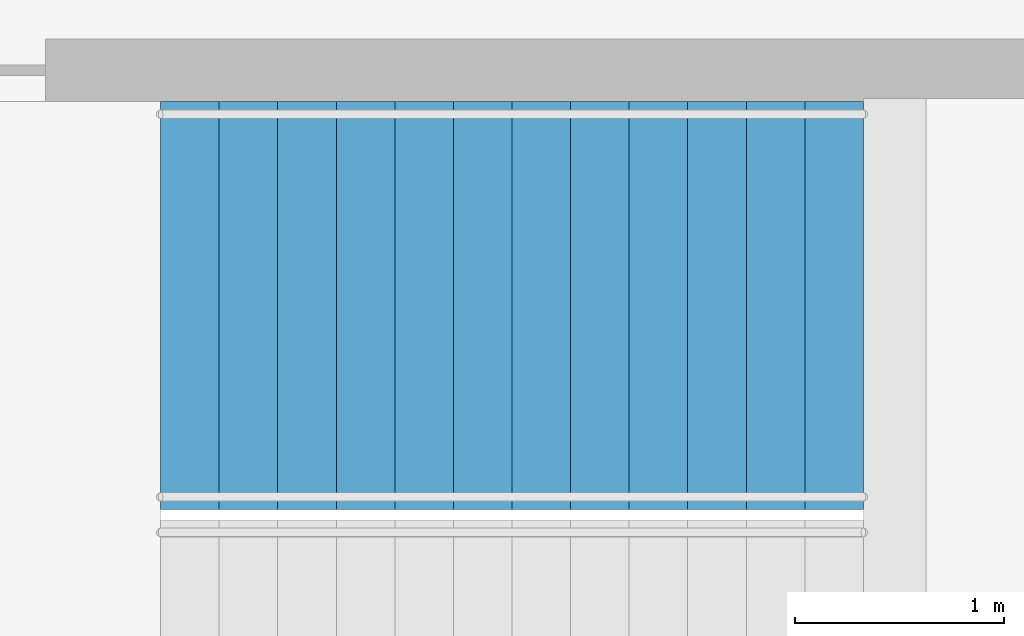
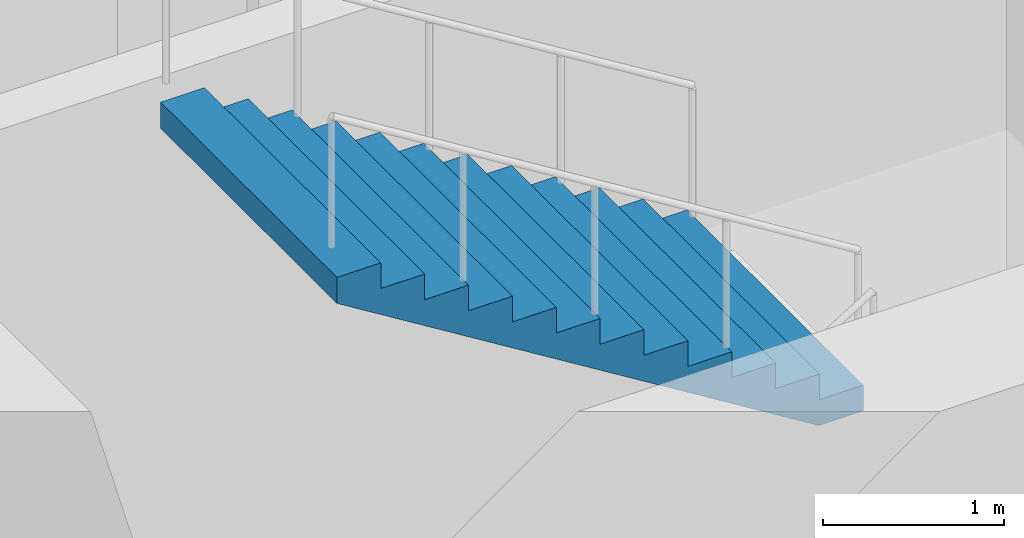
# One storey, part 9 of 16: 1 stair flight, 1 element without a shape of its own.
"""IFC4 building model written with IfcOpenShell, lengths in metres."""

from ifc_helpers import new_model, si_unit, direction, frame, origin, place, context, subcontext, project, spatial, triangles, material, type_object, element, aggregate, save


model = new_model("IFC4")

# Units and contexts
model_context = context("Model", 3, precision=1e-05, world=origin(), true_north=direction((0.0, 1.0)))
body_context = subcontext(model_context, "Body", "Model", "MODEL_VIEW")
ifc_project = project(units=[si_unit("LENGTHUNIT", "METRE"), si_unit("AREAUNIT", "SQUARE_METRE"), si_unit("VOLUMEUNIT", "CUBIC_METRE"), si_unit("PLANEANGLEUNIT", "RADIAN"), si_unit("MASSUNIT", "GRAM", prefix="KILO")], contexts=[model_context])

# Site, building, storey
site_placement = place(None, origin())
site = spatial("IfcSite", under=ifc_project, at=site_placement, CompositionType="ELEMENT")
building_placement = place(site_placement, origin())
building = spatial("IfcBuilding", under=site, at=building_placement, Name="Orbita Commons", CompositionType="ELEMENT")
storey_placement = place(building_placement, frame((0.0, 0.0, -4.5)))
storey = spatial("IfcBuildingStorey", under=building, at=storey_placement, Name="L-01", CompositionType="ELEMENT", Elevation=-4.5)

# Stair, stair flight
ifc_material_1 = material(Name="Precast concrete C40/50", Category="concrete")
stair_type = type_object("IfcStairType", Name="Exit stair S1 2 flights 13 risers 173", PredefinedType="HALF_TURN_STAIR", material=ifc_material_1)
stair_placement = place(storey_placement, origin())
stair = element("IfcStair", 1, at=stair_placement, inside=storey, type_object=stair_type, Name="Exit stair S1 L-01", PredefinedType="HALF_TURN_STAIR")
ifc_material_2 = material(Name="Precast concrete C40/50", Category="concrete")
stair_flight_type = type_object("IfcStairFlightType", Name="Stair flight 13 risers 173 x 280", PredefinedType="STRAIGHT", material=ifc_material_2)
stair_flight_placement = place(storey_placement, frame((23.81005859375, 29.27490234375, 2.25), z_axis=(0.0, 0.0, 1.0), x_axis=(-1.0, 0.0, 0.0)))
stair_flight = element("IfcStairFlight", 2, at=stair_flight_placement, type_object=stair_flight_type, Name="S1 flight 2", NumberOfRisers=13, NumberOfTreads=12, PredefinedType="STRAIGHT", RiserHeight=0.173076923, TreadLength=0.28, context=body_context, shape_type="Tessellation", body=[
    triangles([(0.0, 0.974976, 0.0), (0.0, 0.974976, 0.021635), (0.0, 0.81248, 0.021635), (0.0, 0.81248, 0.0), (0.0, 0.649984, 0.021635), (0.0, 0.649984, 0.0), (0.0, 0.487488, 0.021635), (0.0, 0.487488, 0.0), (0.0, 0.324992, 0.021635), (0.0, 0.324992, 0.0), (0.0, 0.162496, 0.021635), (0.0, 0.162496, 0.0), (0.0, 0.0, 0.021635), (0.0, 0.0, 0.0), (0.0, -0.162496, 0.021635), (0.0, -0.162496, 0.0), (0.0, -0.324992, 0.021635), (0.0, -0.324992, 0.0), (0.0, -0.487488, 0.021635), (0.0, -0.487488, 0.0), (0.0, -0.649984, 0.021635), (0.0, -0.649984, 0.0), (0.0, -0.81248, 0.021635), (0.0, -0.81248, 0.0), (0.0, -0.974976, 0.021635), (0.0, -0.974976, 0.0), (0.0, 0.974976, 0.043269), (0.0, 0.81248, 0.043269), (0.0, 0.649984, 0.043269), (0.0, 0.487488, 0.043269), (0.0, 0.324992, 0.043269), (0.0, 0.162496, 0.043269), (0.0, 0.0, 0.043269), (0.0, -0.162496, 0.043269), (0.0, -0.324992, 0.043269), (0.0, -0.487488, 0.043269), (0.0, -0.649984, 0.043269), (0.0, -0.81248, 0.043269), (0.0, -0.974976, 0.043269), (0.0, 0.974976, 0.064904), (0.0, 0.81248, 0.064904), (0.0, 0.649984, 0.064904), (0.0, 0.487488, 0.064904), (0.0, 0.324992, 0.064904), (0.0, 0.162496, 0.064904), (0.0, 0.0, 0.064904), (0.0, -0.162496, 0.064904), (0.0, -0.324992, 0.064904), (0.0, -0.487488, 0.064904), (0.0, -0.649984, 0.064904), (0.0, -0.81248, 0.064904), (0.0, -0.974976, 0.064904), (0.0, 0.974976, 0.086538), (0.0, 0.81248, 0.086538), (0.0, 0.649984, 0.086538), (0.0, 0.487488, 0.086538), (0.0, 0.324992, 0.086538), (0.0, 0.162496, 0.086538), (0.0, 0.0, 0.086538), (0.0, -0.162496, 0.086538), (0.0, -0.324992, 0.086538), (0.0, -0.487488, 0.086538), (0.0, -0.649984, 0.086538), (0.0, -0.81248, 0.086538), (0.0, -0.974976, 0.086538), (0.0, 0.974976, 0.108173), (0.0, 0.81248, 0.108173), (0.0, 0.649984, 0.108173), (0.0, 0.487488, 0.108173), (0.0, 0.324992, 0.108173), (0.0, 0.162496, 0.108173), (0.0, 0.0, 0.108173), (0.0, -0.162496, 0.108173), (0.0, -0.324992, 0.108173), (0.0, -0.487488, 0.108173), (0.0, -0.649984, 0.108173), (0.0, -0.81248, 0.108173), (0.0, -0.974976, 0.108173), (0.0, 0.974976, 0.129808), (0.0, 0.81248, 0.129808), (0.0, 0.649984, 0.129808), (0.0, 0.487488, 0.129808), (0.0, 0.324992, 0.129808), (0.0, 0.162496, 0.129808), (0.0, 0.0, 0.129808), (0.0, -0.162496, 0.129808), (0.0, -0.324992, 0.129808), (0.0, -0.487488, 0.129808), (0.0, -0.649984, 0.129808), (0.0, -0.81248, 0.129808), (0.0, -0.974976, 0.129808), (0.0, 0.974976, 0.151442), (0.0, 0.81248, 0.151442), (0.0, 0.649984, 0.151442), (0.0, 0.487488, 0.151442), (0.0, 0.324992, 0.151442), (0.0, 0.162496, 0.151442), (0.0, 0.0, 0.151442), (0.0, -0.162496, 0.151442), (0.0, -0.324992, 0.151442), (0.0, -0.487488, 0.151442), (0.0, -0.649984, 0.151442), (0.0, -0.81248, 0.151442), (0.0, -0.974976, 0.151442), (0.0, 0.974976, 0.173077), (0.0, 0.81248, 0.173077), (0.0, 0.649984, 0.173077), (0.0, 0.487488, 0.173077), (0.0, 0.324992, 0.173077), (0.0, 0.162496, 0.173077), (0.0, 0.0, 0.173077), (0.0, -0.162496, 0.173077), (0.0, -0.324992, 0.173077), (0.0, -0.487488, 0.173077), (0.0, -0.649984, 0.173077), (0.0, -0.81248, 0.173077), (0.0, -0.974976, 0.173077), (0.28, 0.974976, 0.173077), (0.28, 0.81248, 0.173077), (0.28, 0.649984, 0.173077), (0.28, 0.487488, 0.173077), (0.28, 0.324992, 0.173077), (0.28, 0.162496, 0.173077), (0.28, 0.0, 0.173077), (0.28, -0.162496, 0.173077), (0.28, -0.324992, 0.173077), (0.28, -0.487488, 0.173077), (0.28, -0.649984, 0.173077), (0.28, -0.81248, 0.173077), (0.28, -0.974976, 0.173077), (0.28, 0.974976, 0.346154), (0.28, 0.81248, 0.346154), (0.28, 0.649984, 0.346154), (0.28, 0.487488, 0.346154), (0.28, 0.324992, 0.346154), (0.28, 0.162496, 0.346154), (0.28, 0.0, 0.346154), (0.28, -0.162496, 0.346154), (0.28, -0.324992, 0.346154), (0.28, -0.487488, 0.346154), (0.28, -0.649984, 0.346154), (0.28, -0.81248, 0.346154), (0.28, -0.974976, 0.346154), (0.56, 0.974976, 0.346154), (0.56, 0.81248, 0.346154), (0.56, 0.649984, 0.346154), (0.56, 0.487488, 0.346154), (0.56, 0.324992, 0.346154), (0.56, 0.162496, 0.346154), (0.56, 0.0, 0.346154), (0.56, -0.162496, 0.346154), (0.56, -0.324992, 0.346154), (0.56, -0.487488, 0.346154), (0.56, -0.649984, 0.346154), (0.56, -0.81248, 0.346154), (0.56, -0.974976, 0.346154), (0.56, 0.974976, 0.519231), (0.56, 0.81248, 0.519231), (0.56, 0.649984, 0.519231), (0.56, 0.487488, 0.519231), (0.56, 0.324992, 0.519231), (0.56, 0.162496, 0.519231), (0.56, 0.0, 0.519231), (0.56, -0.162496, 0.519231), (0.56, -0.324992, 0.519231), (0.56, -0.487488, 0.519231), (0.56, -0.649984, 0.519231), (0.56, -0.81248, 0.519231), (0.56, -0.974976, 0.519231), (0.84, 0.974976, 0.519231), (0.84, 0.81248, 0.519231), (0.84, 0.649984, 0.519231), (0.84, 0.487488, 0.519231), (0.84, 0.324992, 0.519231), (0.84, 0.162496, 0.519231), (0.84, 0.0, 0.519231), (0.84, -0.162496, 0.519231), (0.84, -0.324992, 0.519231), (0.84, -0.487488, 0.519231), (0.84, -0.649984, 0.519231), (0.84, -0.81248, 0.519231), (0.84, -0.974976, 0.519231), (0.84, 0.974976, 0.692308), (0.84, 0.81248, 0.692308), (0.84, 0.649984, 0.692308), (0.84, 0.487488, 0.692308), (0.84, 0.324992, 0.692308), (0.84, 0.162496, 0.692308), (0.84, 0.0, 0.692308), (0.84, -0.162496, 0.692308), (0.84, -0.324992, 0.692308), (0.84, -0.487488, 0.692308), (0.84, -0.649984, 0.692308), (0.84, -0.81248, 0.692308), (0.84, -0.974976, 0.692308), (1.12, 0.974976, 0.692308), (1.12, 0.81248, 0.692308), (1.12, 0.649984, 0.692308), (1.12, 0.487488, 0.692308), (1.12, 0.324992, 0.692308), (1.12, 0.162496, 0.692308), (1.12, 0.0, 0.692308), (1.12, -0.162496, 0.692308), (1.12, -0.324992, 0.692308), (1.12, -0.487488, 0.692308), (1.12, -0.649984, 0.692308), (1.12, -0.81248, 0.692308), (1.12, -0.974976, 0.692308), (1.12, 0.974976, 0.865385), (1.12, 0.81248, 0.865385), (1.12, 0.649984, 0.865385), (1.12, 0.487488, 0.865385), (1.12, 0.324992, 0.865385), (1.12, 0.162496, 0.865385), (1.12, 0.0, 0.865385), (1.12, -0.162496, 0.865385), (1.12, -0.324992, 0.865385), (1.12, -0.487488, 0.865385), (1.12, -0.649984, 0.865385), (1.12, -0.81248, 0.865385), (1.12, -0.974976, 0.865385), (1.4, 0.974976, 0.865385), (1.4, 0.81248, 0.865385), (1.4, 0.649984, 0.865385), (1.4, 0.487488, 0.865385), (1.4, 0.324992, 0.865385), (1.4, 0.162496, 0.865385), (1.4, 0.0, 0.865385), (1.4, -0.162496, 0.865385), (1.4, -0.324992, 0.865385), (1.4, -0.487488, 0.865385), (1.4, -0.649984, 0.865385), (1.4, -0.81248, 0.865385), (1.4, -0.974976, 0.865385), (1.4, 0.974976, 1.038462), (1.4, 0.81248, 1.038462), (1.4, 0.649984, 1.038462), (1.4, 0.487488, 1.038462), (1.4, 0.324992, 1.038462), (1.4, 0.162496, 1.038462), (1.4, 0.0, 1.038462), (1.4, -0.162496, 1.038462), (1.4, -0.324992, 1.038462), (1.4, -0.487488, 1.038462), (1.4, -0.649984, 1.038462), (1.4, -0.81248, 1.038462), (1.4, -0.974976, 1.038462), (1.68, 0.974976, 1.038462), (1.68, 0.81248, 1.038462), (1.68, 0.649984, 1.038462), (1.68, 0.487488, 1.038462), (1.68, 0.324992, 1.038462), (1.68, 0.162496, 1.038462), (1.68, 0.0, 1.038462), (1.68, -0.162496, 1.038462), (1.68, -0.324992, 1.038462), (1.68, -0.487488, 1.038462), (1.68, -0.649984, 1.038462), (1.68, -0.81248, 1.038462), (1.68, -0.974976, 1.038462), (1.68, 0.974976, 1.211538), (1.68, 0.81248, 1.211538), (1.68, 0.649984, 1.211538), (1.68, 0.487488, 1.211538), (1.68, 0.324992, 1.211538), (1.68, 0.162496, 1.211538), (1.68, 0.0, 1.211538), (1.68, -0.162496, 1.211538), (1.68, -0.324992, 1.211538), (1.68, -0.487488, 1.211538), (1.68, -0.649984, 1.211538), (1.68, -0.81248, 1.211538), (1.68, -0.974976, 1.211538), (1.96, 0.974976, 1.211538), (1.96, 0.81248, 1.211538), (1.96, 0.649984, 1.211538), (1.96, 0.487488, 1.211538), (1.96, 0.324992, 1.211538), (1.96, 0.162496, 1.211538), (1.96, 0.0, 1.211538), (1.96, -0.162496, 1.211538), (1.96, -0.324992, 1.211538), (1.96, -0.487488, 1.211538), (1.96, -0.649984, 1.211538), (1.96, -0.81248, 1.211538), (1.96, -0.974976, 1.211538), (1.96, 0.974976, 1.384615), (1.96, 0.81248, 1.384615), (1.96, 0.649984, 1.384615), (1.96, 0.487488, 1.384615), (1.96, 0.324992, 1.384615), (1.96, 0.162496, 1.384615), (1.96, 0.0, 1.384615), (1.96, -0.162496, 1.384615), (1.96, -0.324992, 1.384615), (1.96, -0.487488, 1.384615), (1.96, -0.649984, 1.384615), (1.96, -0.81248, 1.384615), (1.96, -0.974976, 1.384615), (2.24, 0.974976, 1.384615), (2.24, 0.81248, 1.384615), (2.24, 0.649984, 1.384615), (2.24, 0.487488, 1.384615), (2.24, 0.324992, 1.384615), (2.24, 0.162496, 1.384615), (2.24, 0.0, 1.384615), (2.24, -0.162496, 1.384615), (2.24, -0.324992, 1.384615), (2.24, -0.487488, 1.384615), (2.24, -0.649984, 1.384615), (2.24, -0.81248, 1.384615), (2.24, -0.974976, 1.384615), (2.24, 0.974976, 1.557692), (2.24, 0.81248, 1.557692), (2.24, 0.649984, 1.557692), (2.24, 0.487488, 1.557692), (2.24, 0.324992, 1.557692), (2.24, 0.162496, 1.557692), (2.24, 0.0, 1.557692), (2.24, -0.162496, 1.557692), (2.24, -0.324992, 1.557692), (2.24, -0.487488, 1.557692), (2.24, -0.649984, 1.557692), (2.24, -0.81248, 1.557692), (2.24, -0.974976, 1.557692), (2.52, 0.974976, 1.557692), (2.52, 0.81248, 1.557692), (2.52, 0.649984, 1.557692), (2.52, 0.487488, 1.557692), (2.52, 0.324992, 1.557692), (2.52, 0.162496, 1.557692), (2.52, 0.0, 1.557692), (2.52, -0.162496, 1.557692), (2.52, -0.324992, 1.557692), (2.52, -0.487488, 1.557692), (2.52, -0.649984, 1.557692), (2.52, -0.81248, 1.557692), (2.52, -0.974976, 1.557692), (2.52, 0.974976, 1.730769), (2.52, 0.81248, 1.730769), (2.52, 0.649984, 1.730769), (2.52, 0.487488, 1.730769), (2.52, 0.324992, 1.730769), (2.52, 0.162496, 1.730769), (2.52, 0.0, 1.730769), (2.52, -0.162496, 1.730769), (2.52, -0.324992, 1.730769), (2.52, -0.487488, 1.730769), (2.52, -0.649984, 1.730769), (2.52, -0.81248, 1.730769), (2.52, -0.974976, 1.730769), (2.8, 0.974976, 1.730769), (2.8, 0.81248, 1.730769), (2.8, 0.649984, 1.730769), (2.8, 0.487488, 1.730769), (2.8, 0.324992, 1.730769), (2.8, 0.162496, 1.730769), (2.8, 0.0, 1.730769), (2.8, -0.162496, 1.730769), (2.8, -0.324992, 1.730769), (2.8, -0.487488, 1.730769), (2.8, -0.649984, 1.730769), (2.8, -0.81248, 1.730769), (2.8, -0.974976, 1.730769), (2.8, 0.974976, 1.903846), (2.8, 0.81248, 1.903846), (2.8, 0.649984, 1.903846), (2.8, 0.487488, 1.903846), (2.8, 0.324992, 1.903846), (2.8, 0.162496, 1.903846), (2.8, 0.0, 1.903846), (2.8, -0.162496, 1.903846), (2.8, -0.324992, 1.903846), (2.8, -0.487488, 1.903846), (2.8, -0.649984, 1.903846), (2.8, -0.81248, 1.903846), (2.8, -0.974976, 1.903846), (3.08, 0.974976, 1.903846), (3.08, 0.81248, 1.903846), (3.08, 0.649984, 1.903846), (3.08, 0.487488, 1.903846), (3.08, 0.324992, 1.903846), (3.08, 0.162496, 1.903846), (3.08, 0.0, 1.903846), (3.08, -0.162496, 1.903846), (3.08, -0.324992, 1.903846), (3.08, -0.487488, 1.903846), (3.08, -0.649984, 1.903846), (3.08, -0.81248, 1.903846), (3.08, -0.974976, 1.903846), (3.08, 0.974976, 2.076923), (3.08, 0.81248, 2.076923), (3.08, 0.649984, 2.076923), (3.08, 0.487488, 2.076923), (3.08, 0.324992, 2.076923), (3.08, 0.162496, 2.076923), (3.08, 0.0, 2.076923), (3.08, -0.162496, 2.076923), (3.08, -0.324992, 2.076923), (3.08, -0.487488, 2.076923), (3.08, -0.649984, 2.076923), (3.08, -0.81248, 2.076923), (3.08, -0.974976, 2.076923), (3.36, 0.974976, 2.076923), (3.36, 0.81248, 2.076923), (3.36, 0.649984, 2.076923), (3.36, 0.487488, 2.076923), (3.36, 0.324992, 2.076923), (3.36, 0.162496, 2.076923), (3.36, 0.0, 2.076923), (3.36, -0.162496, 2.076923), (3.36, -0.324992, 2.076923), (3.36, -0.487488, 2.076923), (3.36, -0.649984, 2.076923), (3.36, -0.81248, 2.076923), (3.36, -0.974976, 2.076923), (3.36, 0.974976, 2.054895), (3.36, 0.81248, 2.054895), (3.36, 0.649984, 2.054895), (3.36, 0.487488, 2.054895), (3.36, 0.324992, 2.054895), (3.36, 0.162496, 2.054895), (3.36, 0.0, 2.054895), (3.36, -0.162496, 2.054895), (3.36, -0.324992, 2.054895), (3.36, -0.487488, 2.054895), (3.36, -0.649984, 2.054895), (3.36, -0.81248, 2.054895), (3.36, -0.974976, 2.054895), (3.36, 0.974976, 2.032866), (3.36, 0.81248, 2.032866), (3.36, 0.649984, 2.032866), (3.36, 0.487488, 2.032866), (3.36, 0.324992, 2.032866), (3.36, 0.162496, 2.032866), (3.36, 0.0, 2.032866), (3.36, -0.162496, 2.032866), (3.36, -0.324992, 2.032866), (3.36, -0.487488, 2.032866), (3.36, -0.649984, 2.032866), (3.36, -0.81248, 2.032866), (3.36, -0.974976, 2.032866), (3.36, 0.974976, 2.010837), (3.36, 0.81248, 2.010837), (3.36, 0.649984, 2.010837), (3.36, 0.487488, 2.010837), (3.36, 0.324992, 2.010837), (3.36, 0.162496, 2.010837), (3.36, 0.0, 2.010837), (3.36, -0.162496, 2.010837), (3.36, -0.324992, 2.010837), (3.36, -0.487488, 2.010837), (3.36, -0.649984, 2.010837), (3.36, -0.81248, 2.010837), (3.36, -0.974976, 2.010837), (3.36, 0.974976, 1.988809), (3.36, 0.81248, 1.988809), (3.36, 0.649984, 1.988809), (3.36, 0.487488, 1.988809), (3.36, 0.324992, 1.988809), (3.36, 0.162496, 1.988809), (3.36, 0.0, 1.988809), (3.36, -0.162496, 1.988809), (3.36, -0.324992, 1.988809), (3.36, -0.487488, 1.988809), (3.36, -0.649984, 1.988809), (3.36, -0.81248, 1.988809), (3.36, -0.974976, 1.988809), (3.36, 0.974976, 1.96678), (3.36, 0.81248, 1.96678), (3.36, 0.649984, 1.96678), (3.36, 0.487488, 1.96678), (3.36, 0.324992, 1.96678), (3.36, 0.162496, 1.96678), (3.36, 0.0, 1.96678), (3.36, -0.162496, 1.96678), (3.36, -0.324992, 1.96678), (3.36, -0.487488, 1.96678), (3.36, -0.649984, 1.96678), (3.36, -0.81248, 1.96678), (3.36, -0.974976, 1.96678), (3.36, 0.974976, 1.944752), (3.36, 0.81248, 1.944752), (3.36, 0.649984, 1.944752), (3.36, 0.487488, 1.944752), (3.36, 0.324992, 1.944752), (3.36, 0.162496, 1.944752), (3.36, 0.0, 1.944752), (3.36, -0.162496, 1.944752), (3.36, -0.324992, 1.944752), (3.36, -0.487488, 1.944752), (3.36, -0.649984, 1.944752), (3.36, -0.81248, 1.944752), (3.36, -0.974976, 1.944752), (3.36, 0.974976, 1.922723), (3.36, 0.81248, 1.922723), (3.36, 0.649984, 1.922723), (3.36, 0.487488, 1.922723), (3.36, 0.324992, 1.922723), (3.36, 0.162496, 1.922723), (3.36, 0.0, 1.922723), (3.36, -0.162496, 1.922723), (3.36, -0.324992, 1.922723), (3.36, -0.487488, 1.922723), (3.36, -0.649984, 1.922723), (3.36, -0.81248, 1.922723), (3.36, -0.974976, 1.922723), (3.36, 0.974976, 1.900695), (3.36, 0.81248, 1.900695), (3.36, 0.649984, 1.900695), (3.36, 0.487488, 1.900695), (3.36, 0.324992, 1.900695), (3.36, 0.162496, 1.900695), (3.36, 0.0, 1.900695), (3.36, -0.162496, 1.900695), (3.36, -0.324992, 1.900695), (3.36, -0.487488, 1.900695), (3.36, -0.649984, 1.900695), (3.36, -0.81248, 1.900695), (3.36, -0.974976, 1.900695), (0.285099, 0.974976, 0.0), (0.285099, 0.81248, 0.0), (0.285099, 0.649984, 0.0), (0.285099, 0.487488, 0.0), (0.285099, 0.324992, 0.0), (0.285099, 0.162496, 0.0), (0.285099, 0.0, 0.0), (0.285099, -0.162496, 0.0), (0.285099, -0.324992, 0.0), (0.285099, -0.487488, 0.0), (0.285099, -0.649984, 0.0), (0.285099, -0.81248, 0.0), (0.285099, -0.974976, 0.0)], [[3, 2, 1], [4, 3, 1], [5, 3, 4], [6, 5, 4], [7, 5, 6], [8, 7, 6], [9, 7, 8], [10, 9, 8], [11, 9, 10], [12, 11, 10], [13, 11, 12], [14, 13, 12], [15, 13, 14], [16, 15, 14], [17, 15, 16], [18, 17, 16], [19, 17, 18], [20, 19, 18], [21, 19, 20], [22, 21, 20], [23, 21, 22], [24, 23, 22], [25, 23, 24], [26, 25, 24], [28, 27, 2], [3, 28, 2], [29, 28, 3], [5, 29, 3], [30, 29, 5], [7, 30, 5], [31, 30, 7], [9, 31, 7], [32, 31, 9], [11, 32, 9], [33, 32, 11], [13, 33, 11], [34, 33, 13], [15, 34, 13], [35, 34, 15], [17, 35, 15], [36, 35, 17], [19, 36, 17], [37, 36, 19], [21, 37, 19], [38, 37, 21], [23, 38, 21], [39, 38, 23], [25, 39, 23], [41, 40, 27], [28, 41, 27], [42, 41, 28], [29, 42, 28], [43, 42, 29], [30, 43, 29], [44, 43, 30], [31, 44, 30], [45, 44, 31], [32, 45, 31], [46, 45, 32], [33, 46, 32], [47, 46, 33], [34, 47, 33], [48, 47, 34], [35, 48, 34], [49, 48, 35], [36, 49, 35], [50, 49, 36], [37, 50, 36], [51, 50, 37], [38, 51, 37], [52, 51, 38], [39, 52, 38], [54, 53, 40], [41, 54, 40], [55, 54, 41], [42, 55, 41], [56, 55, 42], [43, 56, 42], [57, 56, 43], [44, 57, 43], [58, 57, 44], [45, 58, 44], [59, 58, 45], [46, 59, 45], [60, 59, 46], [47, 60, 46], [61, 60, 47], [48, 61, 47], [62, 61, 48], [49, 62, 48], [63, 62, 49], [50, 63, 49], [64, 63, 50], [51, 64, 50], [65, 64, 51], [52, 65, 51], [67, 66, 53], [54, 67, 53], [68, 67, 54], [55, 68, 54], [69, 68, 55], [56, 69, 55], [70, 69, 56], [57, 70, 56], [71, 70, 57], [58, 71, 57], [72, 71, 58], [59, 72, 58], [73, 72, 59], [60, 73, 59], [74, 73, 60], [61, 74, 60], [75, 74, 61], [62, 75, 61], [76, 75, 62], [63, 76, 62], [77, 76, 63], [64, 77, 63], [78, 77, 64], [65, 78, 64], [80, 79, 66], [67, 80, 66], [81, 80, 67], [68, 81, 67], [82, 81, 68], [69, 82, 68], [83, 82, 69], [70, 83, 69], [84, 83, 70], [71, 84, 70], [85, 84, 71], [72, 85, 71], [86, 85, 72], [73, 86, 72], [87, 86, 73], [74, 87, 73], [88, 87, 74], [75, 88, 74], [89, 88, 75], [76, 89, 75], [90, 89, 76], [77, 90, 76], [91, 90, 77], [78, 91, 77], [93, 92, 79], [80, 93, 79], [94, 93, 80], [81, 94, 80], [95, 94, 81], [82, 95, 81], [96, 95, 82], [83, 96, 82], [97, 96, 83], [84, 97, 83], [98, 97, 84], [85, 98, 84], [99, 98, 85], [86, 99, 85], [100, 99, 86], [87, 100, 86], [101, 100, 87], [88, 101, 87], [102, 101, 88], [89, 102, 88], [103, 102, 89], [90, 103, 89], [104, 103, 90], [91, 104, 90], [106, 105, 92], [93, 106, 92], [107, 106, 93], [94, 107, 93], [108, 107, 94], [95, 108, 94], [109, 108, 95], [96, 109, 95], [110, 109, 96], [97, 110, 96], [111, 110, 97], [98, 111, 97], [112, 111, 98], [99, 112, 98], [113, 112, 99], [100, 113, 99], [114, 113, 100], [101, 114, 100], [115, 114, 101], [102, 115, 101], [116, 115, 102], [103, 116, 102], [117, 116, 103], [104, 117, 103], [119, 118, 105], [106, 119, 105], [120, 119, 106], [107, 120, 106], [121, 120, 107], [108, 121, 107], [122, 121, 108], [109, 122, 108], [123, 122, 109], [110, 123, 109], [124, 123, 110], [111, 124, 110], [125, 124, 111], [112, 125, 111], [126, 125, 112], [113, 126, 112], [127, 126, 113], [114, 127, 113], [128, 127, 114], [115, 128, 114], [129, 128, 115], [116, 129, 115], [130, 129, 116], [117, 130, 116], [132, 131, 118], [119, 132, 118], [133, 132, 119], [120, 133, 119], [134, 133, 120], [121, 134, 120], [135, 134, 121], [122, 135, 121], [136, 135, 122], [123, 136, 122], [137, 136, 123], [124, 137, 123], [138, 137, 124], [125, 138, 124], [139, 138, 125], [126, 139, 125], [140, 139, 126], [127, 140, 126], [141, 140, 127], [128, 141, 127], [142, 141, 128], [129, 142, 128], [143, 142, 129], [130, 143, 129], [145, 144, 131], [132, 145, 131], [146, 145, 132], [133, 146, 132], [147, 146, 133], [134, 147, 133], [148, 147, 134], [135, 148, 134], [149, 148, 135], [136, 149, 135], [150, 149, 136], [137, 150, 136], [151, 150, 137], [138, 151, 137], [152, 151, 138], [139, 152, 138], [153, 152, 139], [140, 153, 139], [154, 153, 140], [141, 154, 140], [155, 154, 141], [142, 155, 141], [156, 155, 142], [143, 156, 142], [158, 157, 144], [145, 158, 144], [159, 158, 145], [146, 159, 145], [160, 159, 146], [147, 160, 146], [161, 160, 147], [148, 161, 147], [162, 161, 148], [149, 162, 148], [163, 162, 149], [150, 163, 149], [164, 163, 150], [151, 164, 150], [165, 164, 151], [152, 165, 151], [166, 165, 152], [153, 166, 152], [167, 166, 153], [154, 167, 153], [168, 167, 154], [155, 168, 154], [169, 168, 155], [156, 169, 155], [171, 170, 157], [158, 171, 157], [172, 171, 158], [159, 172, 158], [173, 172, 159], [160, 173, 159], [174, 173, 160], [161, 174, 160], [175, 174, 161], [162, 175, 161], [176, 175, 162], [163, 176, 162], [177, 176, 163], [164, 177, 163], [178, 177, 164], [165, 178, 164], [179, 178, 165], [166, 179, 165], [180, 179, 166], [167, 180, 166], [181, 180, 167], [168, 181, 167], [182, 181, 168], [169, 182, 168], [184, 183, 170], [171, 184, 170], [185, 184, 171], [172, 185, 171], [186, 185, 172], [173, 186, 172], [187, 186, 173], [174, 187, 173], [188, 187, 174], [175, 188, 174], [189, 188, 175], [176, 189, 175], [190, 189, 176], [177, 190, 176], [191, 190, 177], [178, 191, 177], [192, 191, 178], [179, 192, 178], [193, 192, 179], [180, 193, 179], [194, 193, 180], [181, 194, 180], [195, 194, 181], [182, 195, 181], [197, 196, 183], [184, 197, 183], [198, 197, 184], [185, 198, 184], [199, 198, 185], [186, 199, 185], [200, 199, 186], [187, 200, 186], [201, 200, 187], [188, 201, 187], [202, 201, 188], [189, 202, 188], [203, 202, 189], [190, 203, 189], [204, 203, 190], [191, 204, 190], [205, 204, 191], [192, 205, 191], [206, 205, 192], [193, 206, 192], [207, 206, 193], [194, 207, 193], [208, 207, 194], [195, 208, 194], [210, 209, 196], [197, 210, 196], [211, 210, 197], [198, 211, 197], [212, 211, 198], [199, 212, 198], [213, 212, 199], [200, 213, 199], [214, 213, 200], [201, 214, 200], [215, 214, 201], [202, 215, 201], [216, 215, 202], [203, 216, 202], [217, 216, 203], [204, 217, 203], [218, 217, 204], [205, 218, 204], [219, 218, 205], [206, 219, 205], [220, 219, 206], [207, 220, 206], [221, 220, 207], [208, 221, 207], [223, 222, 209], [210, 223, 209], [224, 223, 210], [211, 224, 210], [225, 224, 211], [212, 225, 211], [226, 225, 212], [213, 226, 212], [227, 226, 213], [214, 227, 213], [228, 227, 214], [215, 228, 214], [229, 228, 215], [216, 229, 215], [230, 229, 216], [217, 230, 216], [231, 230, 217], [218, 231, 217], [232, 231, 218], [219, 232, 218], [233, 232, 219], [220, 233, 219], [234, 233, 220], [221, 234, 220], [236, 235, 222], [223, 236, 222], [237, 236, 223], [224, 237, 223], [238, 237, 224], [225, 238, 224], [239, 238, 225], [226, 239, 225], [240, 239, 226], [227, 240, 226], [241, 240, 227], [228, 241, 227], [242, 241, 228], [229, 242, 228], [243, 242, 229], [230, 243, 229], [244, 243, 230], [231, 244, 230], [245, 244, 231], [232, 245, 231], [246, 245, 232], [233, 246, 232], [247, 246, 233], [234, 247, 233], [249, 248, 235], [236, 249, 235], [250, 249, 236], [237, 250, 236], [251, 250, 237], [238, 251, 237], [252, 251, 238], [239, 252, 238], [253, 252, 239], [240, 253, 239], [254, 253, 240], [241, 254, 240], [255, 254, 241], [242, 255, 241], [256, 255, 242], [243, 256, 242], [257, 256, 243], [244, 257, 243], [258, 257, 244], [245, 258, 244], [259, 258, 245], [246, 259, 245], [260, 259, 246], [247, 260, 246], [262, 261, 248], [249, 262, 248], [263, 262, 249], [250, 263, 249], [264, 263, 250], [251, 264, 250], [265, 264, 251], [252, 265, 251], [266, 265, 252], [253, 266, 252], [267, 266, 253], [254, 267, 253], [268, 267, 254], [255, 268, 254], [269, 268, 255], [256, 269, 255], [270, 269, 256], [257, 270, 256], [271, 270, 257], [258, 271, 257], [272, 271, 258], [259, 272, 258], [273, 272, 259], [260, 273, 259], [275, 274, 261], [262, 275, 261], [276, 275, 262], [263, 276, 262], [277, 276, 263], [264, 277, 263], [278, 277, 264], [265, 278, 264], [279, 278, 265], [266, 279, 265], [280, 279, 266], [267, 280, 266], [281, 280, 267], [268, 281, 267], [282, 281, 268], [269, 282, 268], [283, 282, 269], [270, 283, 269], [284, 283, 270], [271, 284, 270], [285, 284, 271], [272, 285, 271], [286, 285, 272], [273, 286, 272], [288, 287, 274], [275, 288, 274], [289, 288, 275], [276, 289, 275], [290, 289, 276], [277, 290, 276], [291, 290, 277], [278, 291, 277], [292, 291, 278], [279, 292, 278], [293, 292, 279], [280, 293, 279], [294, 293, 280], [281, 294, 280], [295, 294, 281], [282, 295, 281], [296, 295, 282], [283, 296, 282], [297, 296, 283], [284, 297, 283], [298, 297, 284], [285, 298, 284], [299, 298, 285], [286, 299, 285], [301, 300, 287], [288, 301, 287], [302, 301, 288], [289, 302, 288], [303, 302, 289], [290, 303, 289], [304, 303, 290], [291, 304, 290], [305, 304, 291], [292, 305, 291], [306, 305, 292], [293, 306, 292], [307, 306, 293], [294, 307, 293], [308, 307, 294], [295, 308, 294], [309, 308, 295], [296, 309, 295], [310, 309, 296], [297, 310, 296], [311, 310, 297], [298, 311, 297], [312, 311, 298], [299, 312, 298], [314, 313, 300], [301, 314, 300], [315, 314, 301], [302, 315, 301], [316, 315, 302], [303, 316, 302], [317, 316, 303], [304, 317, 303], [318, 317, 304], [305, 318, 304], [319, 318, 305], [306, 319, 305], [320, 319, 306], [307, 320, 306], [321, 320, 307], [308, 321, 307], [322, 321, 308], [309, 322, 308], [323, 322, 309], [310, 323, 309], [324, 323, 310], [311, 324, 310], [325, 324, 311], [312, 325, 311], [327, 326, 313], [314, 327, 313], [328, 327, 314], [315, 328, 314], [329, 328, 315], [316, 329, 315], [330, 329, 316], [317, 330, 316], [331, 330, 317], [318, 331, 317], [332, 331, 318], [319, 332, 318], [333, 332, 319], [320, 333, 319], [334, 333, 320], [321, 334, 320], [335, 334, 321], [322, 335, 321], [336, 335, 322], [323, 336, 322], [337, 336, 323], [324, 337, 323], [338, 337, 324], [325, 338, 324], [340, 339, 326], [327, 340, 326], [341, 340, 327], [328, 341, 327], [342, 341, 328], [329, 342, 328], [343, 342, 329], [330, 343, 329], [344, 343, 330], [331, 344, 330], [345, 344, 331], [332, 345, 331], [346, 345, 332], [333, 346, 332], [347, 346, 333], [334, 347, 333], [348, 347, 334], [335, 348, 334], [349, 348, 335], [336, 349, 335], [350, 349, 336], [337, 350, 336], [351, 350, 337], [338, 351, 337], [353, 352, 339], [340, 353, 339], [354, 353, 340], [341, 354, 340], [355, 354, 341], [342, 355, 341], [356, 355, 342], [343, 356, 342], [357, 356, 343], [344, 357, 343], [358, 357, 344], [345, 358, 344], [359, 358, 345], [346, 359, 345], [360, 359, 346], [347, 360, 346], [361, 360, 347], [348, 361, 347], [362, 361, 348], [349, 362, 348], [363, 362, 349], [350, 363, 349], [364, 363, 350], [351, 364, 350], [366, 365, 352], [353, 366, 352], [367, 366, 353], [354, 367, 353], [368, 367, 354], [355, 368, 354], [369, 368, 355], [356, 369, 355], [370, 369, 356], [357, 370, 356], [371, 370, 357], [358, 371, 357], [372, 371, 358], [359, 372, 358], [373, 372, 359], [360, 373, 359], [374, 373, 360], [361, 374, 360], [375, 374, 361], [362, 375, 361], [376, 375, 362], [363, 376, 362], [377, 376, 363], [364, 377, 363], [379, 378, 365], [366, 379, 365], [380, 379, 366], [367, 380, 366], [381, 380, 367], [368, 381, 367], [382, 381, 368], [369, 382, 368], [383, 382, 369], [370, 383, 369], [384, 383, 370], [371, 384, 370], [385, 384, 371], [372, 385, 371], [386, 385, 372], [373, 386, 372], [387, 386, 373], [374, 387, 373], [388, 387, 374], [375, 388, 374], [389, 388, 375], [376, 389, 375], [390, 389, 376], [377, 390, 376], [392, 391, 378], [379, 392, 378], [393, 392, 379], [380, 393, 379], [394, 393, 380], [381, 394, 380], [395, 394, 381], [382, 395, 381], [396, 395, 382], [383, 396, 382], [397, 396, 383], [384, 397, 383], [398, 397, 384], [385, 398, 384], [399, 398, 385], [386, 399, 385], [400, 399, 386], [387, 400, 386], [401, 400, 387], [388, 401, 387], [402, 401, 388], [389, 402, 388], [403, 402, 389], [390, 403, 389], [405, 404, 391], [392, 405, 391], [406, 405, 392], [393, 406, 392], [407, 406, 393], [394, 407, 393], [408, 407, 394], [395, 408, 394], [409, 408, 395], [396, 409, 395], [410, 409, 396], [397, 410, 396], [411, 410, 397], [398, 411, 397], [412, 411, 398], [399, 412, 398], [413, 412, 399], [400, 413, 399], [414, 413, 400], [401, 414, 400], [415, 414, 401], [402, 415, 401], [416, 415, 402], [403, 416, 402], [418, 417, 404], [405, 418, 404], [419, 418, 405], [406, 419, 405], [420, 419, 406], [407, 420, 406], [421, 420, 407], [408, 421, 407], [422, 421, 408], [409, 422, 408], [423, 422, 409], [410, 423, 409], [424, 423, 410], [411, 424, 410], [425, 424, 411], [412, 425, 411], [426, 425, 412], [413, 426, 412], [427, 426, 413], [414, 427, 413], [428, 427, 414], [415, 428, 414], [429, 428, 415], [416, 429, 415], [431, 430, 417], [418, 431, 417], [432, 431, 418], [419, 432, 418], [433, 432, 419], [420, 433, 419], [434, 433, 420], [421, 434, 420], [435, 434, 421], [422, 435, 421], [436, 435, 422], [423, 436, 422], [437, 436, 423], [424, 437, 423], [438, 437, 424], [425, 438, 424], [439, 438, 425], [426, 439, 425], [440, 439, 426], [427, 440, 426], [441, 440, 427], [428, 441, 427], [442, 441, 428], [429, 442, 428], [444, 443, 430], [431, 444, 430], [445, 444, 431], [432, 445, 431], [446, 445, 432], [433, 446, 432], [447, 446, 433], [434, 447, 433], [448, 447, 434], [435, 448, 434], [449, 448, 435], [436, 449, 435], [450, 449, 436], [437, 450, 436], [451, 450, 437], [438, 451, 437], [452, 451, 438], [439, 452, 438], [453, 452, 439], [440, 453, 439], [454, 453, 440], [441, 454, 440], [455, 454, 441], [442, 455, 441], [457, 456, 443], [444, 457, 443], [458, 457, 444], [445, 458, 444], [459, 458, 445], [446, 459, 445], [460, 459, 446], [447, 460, 446], [461, 460, 447], [448, 461, 447], [462, 461, 448], [449, 462, 448], [463, 462, 449], [450, 463, 449], [464, 463, 450], [451, 464, 450], [465, 464, 451], [452, 465, 451], [466, 465, 452], [453, 466, 452], [467, 466, 453], [454, 467, 453], [468, 467, 454], [455, 468, 454], [470, 469, 456], [457, 470, 456], [471, 470, 457], [458, 471, 457], [472, 471, 458], [459, 472, 458], [473, 472, 459], [460, 473, 459], [474, 473, 460], [461, 474, 460], [475, 474, 461], [462, 475, 461], [476, 475, 462], [463, 476, 462], [477, 476, 463], [464, 477, 463], [478, 477, 464], [465, 478, 464], [479, 478, 465], [466, 479, 465], [480, 479, 466], [467, 480, 466], [481, 480, 467], [468, 481, 467], [483, 482, 469], [470, 483, 469], [484, 483, 470], [471, 484, 470], [485, 484, 471], [472, 485, 471], [486, 485, 472], [473, 486, 472], [487, 486, 473], [474, 487, 473], [488, 487, 474], [475, 488, 474], [489, 488, 475], [476, 489, 475], [490, 489, 476], [477, 490, 476], [491, 490, 477], [478, 491, 477], [492, 491, 478], [479, 492, 478], [493, 492, 479], [480, 493, 479], [494, 493, 480], [481, 494, 480], [496, 495, 482], [483, 496, 482], [497, 496, 483], [484, 497, 483], [498, 497, 484], [485, 498, 484], [499, 498, 485], [486, 499, 485], [500, 499, 486], [487, 500, 486], [501, 500, 487], [488, 501, 487], [502, 501, 488], [489, 502, 488], [503, 502, 489], [490, 503, 489], [504, 503, 490], [491, 504, 490], [505, 504, 491], [492, 505, 491], [506, 505, 492], [493, 506, 492], [507, 506, 493], [494, 507, 493], [509, 508, 495], [496, 509, 495], [510, 509, 496], [497, 510, 496], [511, 510, 497], [498, 511, 497], [512, 511, 498], [499, 512, 498], [513, 512, 499], [500, 513, 499], [514, 513, 500], [501, 514, 500], [515, 514, 501], [502, 515, 501], [516, 515, 502], [503, 516, 502], [517, 516, 503], [504, 517, 503], [518, 517, 504], [505, 518, 504], [519, 518, 505], [506, 519, 505], [520, 519, 506], [507, 520, 506], [522, 521, 508], [509, 522, 508], [523, 522, 509], [510, 523, 509], [524, 523, 510], [511, 524, 510], [525, 524, 511], [512, 525, 511], [526, 525, 512], [513, 526, 512], [527, 526, 513], [514, 527, 513], [528, 527, 514], [515, 528, 514], [529, 528, 515], [516, 529, 515], [530, 529, 516], [517, 530, 516], [531, 530, 517], [518, 531, 517], [532, 531, 518], [519, 532, 518], [533, 532, 519], [520, 533, 519], [4, 1, 521], [522, 4, 521], [6, 4, 522], [523, 6, 522], [8, 6, 523], [524, 8, 523], [10, 8, 524], [525, 10, 524], [12, 10, 525], [526, 12, 525], [14, 12, 526], [527, 14, 526], [16, 14, 527], [528, 16, 527], [18, 16, 528], [529, 18, 528], [20, 18, 529], [530, 20, 529], [22, 20, 530], [531, 22, 530], [24, 22, 531], [532, 24, 531], [26, 24, 532], [533, 26, 532], [508, 521, 1], [26, 533, 520], [495, 508, 1], [26, 520, 507], [482, 495, 1], [26, 507, 494], [469, 482, 1], [26, 494, 481], [456, 469, 1], [26, 481, 468], [443, 456, 1], [26, 468, 455], [430, 443, 1], [26, 455, 442], [417, 430, 1], [26, 442, 429], [391, 404, 417], [429, 416, 403], [378, 391, 417], [429, 403, 390], [352, 365, 378], [390, 377, 364], [352, 378, 417], [429, 390, 364], [326, 339, 352], [364, 351, 338], [326, 352, 417], [429, 364, 338], [300, 313, 326], [338, 325, 312], [300, 326, 417], [429, 338, 312], [274, 287, 300], [312, 299, 286], [274, 300, 417], [429, 312, 286], [248, 261, 274], [286, 273, 260], [248, 274, 417], [429, 286, 260], [222, 235, 248], [260, 247, 234], [222, 248, 417], [429, 260, 234], [196, 209, 222], [234, 221, 208], [196, 222, 417], [429, 234, 208], [170, 183, 196], [208, 195, 182], [170, 196, 417], [429, 208, 182], [144, 157, 170], [182, 169, 156], [144, 170, 417], [429, 182, 156], [118, 131, 144], [156, 143, 130], [118, 144, 417], [429, 156, 130], [118, 417, 1], [26, 429, 130], [92, 105, 118], [130, 117, 104], [79, 92, 118], [130, 104, 91], [66, 79, 118], [130, 91, 78], [53, 66, 118], [130, 78, 65], [40, 53, 118], [130, 65, 52], [27, 40, 118], [130, 52, 39], [2, 27, 118], [130, 39, 25], [1, 2, 118], [130, 25, 26]], closed=True),
])
aggregate(stair, [stair_flight])

save(model, "model.ifc")
